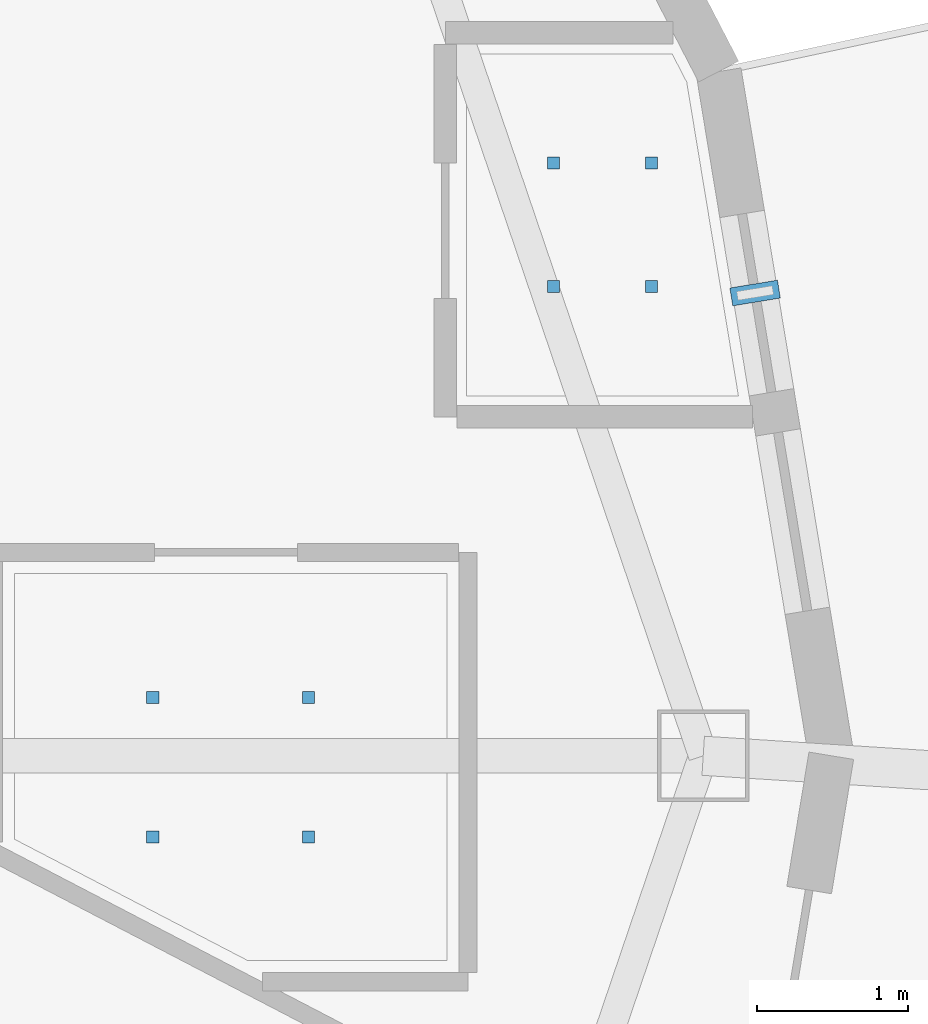
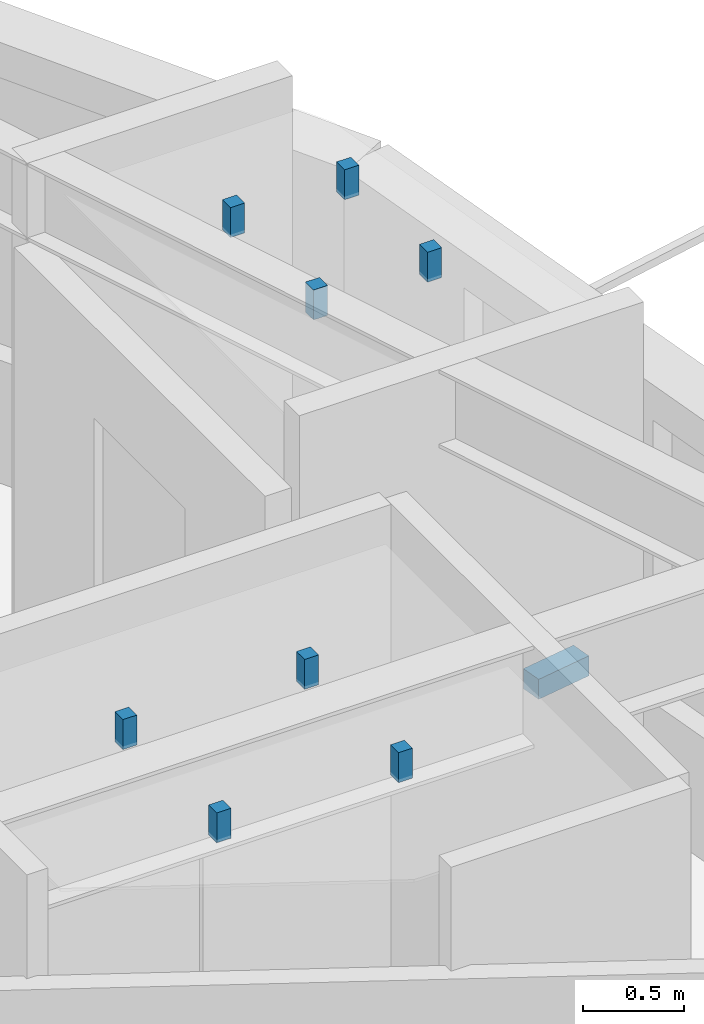
# One storey, part 8 of 14: 9 discrete accessories.
"""IFC4 building model written with IfcOpenShell, lengths in metres."""

from ifc_helpers import new_model, si_unit, direction, frame, origin, origin_2d, place, context, subcontext, project, spatial, rectangle, extrude, material, type_object, element, save


model = new_model("IFC4")

# Units and contexts
model_context = context("Model", 3, precision=1e-05, world=origin(), true_north=direction((0.0, 1.0)))
body_context = subcontext(model_context, "Body", "Model", "MODEL_VIEW")
ifc_project = project(units=[si_unit("LENGTHUNIT", "METRE"), si_unit("AREAUNIT", "SQUARE_METRE"), si_unit("VOLUMEUNIT", "CUBIC_METRE"), si_unit("PLANEANGLEUNIT", "RADIAN"), si_unit("MASSUNIT", "GRAM", prefix="KILO")], contexts=[model_context])

# Site, building, storey
site_placement = place(None, origin())
site = spatial("IfcSite", under=ifc_project, at=site_placement, CompositionType="ELEMENT")
building_placement = place(site_placement, origin())
building = spatial("IfcBuilding", under=site, at=building_placement, Name="Kolvaren Gate Tower and Convention Centre", CompositionType="ELEMENT")
storey_placement = place(building_placement, frame((0.0, 0.0, 173.300048828125)))
storey = spatial("IfcBuildingStorey", under=building, at=storey_placement, Name="L45", CompositionType="ELEMENT", Elevation=173.300048828125)

# Discrete accessories
ifc_material_1 = material(Name="Anodized Architectural Aluminium Alloy 6063-T6", Category="aluminium")
discrete_accessory_type_1 = type_object("IfcDiscreteAccessoryType", Name="ARCH-ACC-BRACKET-120", PredefinedType="BRACKET", material=ifc_material_1)
discrete_accessory_placement = place(storey_placement, frame((51.556884765625, 30.072021484375, 0.289794921875), z_axis=(0.0, 0.0, 1.0), x_axis=(0.162380568014, -0.986728205298, 0.0)))
element("IfcDiscreteAccessory", 1, at=discrete_accessory_placement, inside=storey, type_object=discrete_accessory_type_1, Name="Ceramic Fin Wall Anchor Bracket FBK-L45-00", PredefinedType="BRACKET", context=body_context, shape_type="SweptSolid", body=[
    extrude(rectangle(XDim=0.1201171875, YDim=0.320068359375, at=origin_2d()), origin(), (0.0, 0.0, 1.0), 0.1201171875),
])
ifc_material_2 = material(Name="Brushed Stainless Steel Grade 316L", Category="steel")
discrete_accessory_type_2 = type_object("IfcDiscreteAccessoryType", Name="ARCH-ACC-HANGER-80", PredefinedType="BRACKET", material=ifc_material_2)
for number, where, z_axis, x_axis, name in (
    (2, (47.55810546875, 26.4619140625, 2.9501953125), (0.0, 0.0, 1.0), (1.0, 0.0, 0.0), "Suite Principal Bedroom (HTL-L45-05) Ceiling Suspension Hanger Clip 1"),
    (3, (48.592041015625, 26.4619140625, 2.9501953125), (0.0, 0.0, 1.0), (1.0, 0.0, 0.0), "Suite Principal Bedroom (HTL-L45-05) Ceiling Suspension Hanger Clip 2"),
    (4, (47.55810546875, 27.387939453125, 2.9501953125), (0.0, 0.0, 1.0), (1.0, 0.0, 0.0), "Suite Principal Bedroom (HTL-L45-05) Ceiling Suspension Hanger Clip 3"),
    (5, (48.592041015625, 27.387939453125, 2.9501953125), (0.0, 0.0, 1.0), (1.0, 0.0, 0.0), "Suite Principal Bedroom (HTL-L45-05) Ceiling Suspension Hanger Clip 4"),
    (6, (50.218017578125, 30.115966796875, 2.9501953125), (0.0, 0.0, 1.0), (1.0, 0.0, 0.0), "En-suite Bathroom (HTL-L45-05) Ceiling Suspension Hanger Clip 1"),
    (7, (50.867919921875, 30.115966796875, 2.9501953125), (0.0, 0.0, 1.0), (1.0, 0.0, 0.0), "En-suite Bathroom (HTL-L45-05) Ceiling Suspension Hanger Clip 2"),
    (8, (50.218017578125, 30.93408203125, 2.9501953125), (0.0, 0.0, 1.0), (1.0, 0.0, 0.0), "En-suite Bathroom (HTL-L45-05) Ceiling Suspension Hanger Clip 3"),
    (9, (50.867919921875, 30.93408203125, 2.9501953125), (0.0, 0.0, 1.0), (1.0, 0.0, 0.0), "En-suite Bathroom (HTL-L45-05) Ceiling Suspension Hanger Clip 4"),
):
    element("IfcDiscreteAccessory", number, at=place(storey_placement, frame(where, z_axis=z_axis, x_axis=x_axis)), inside=storey, type_object=discrete_accessory_type_2, Name=name, PredefinedType="BRACKET", context=body_context, shape_type="SweptSolid", body=[
        extrude(rectangle(XDim=0.080078125, YDim=0.080078125, at=origin_2d()), origin(), (0.0, 0.0, 1.0), 0.179931640625),
    ])

save(model, "model.ifc")
